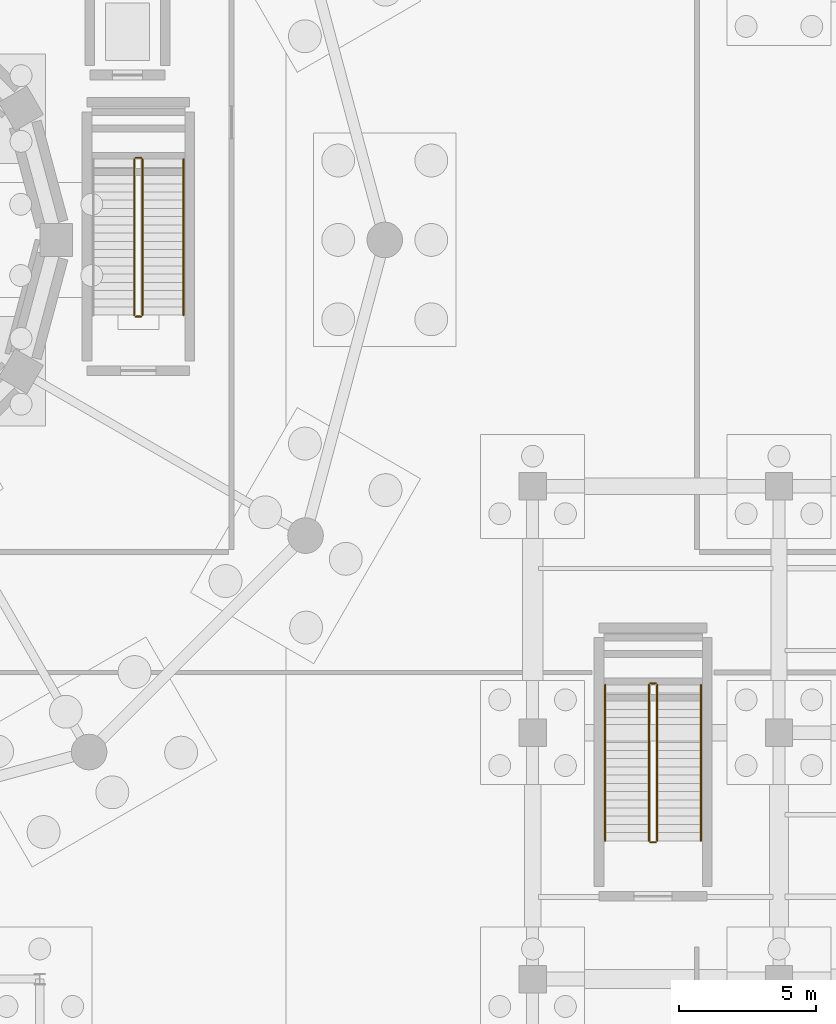
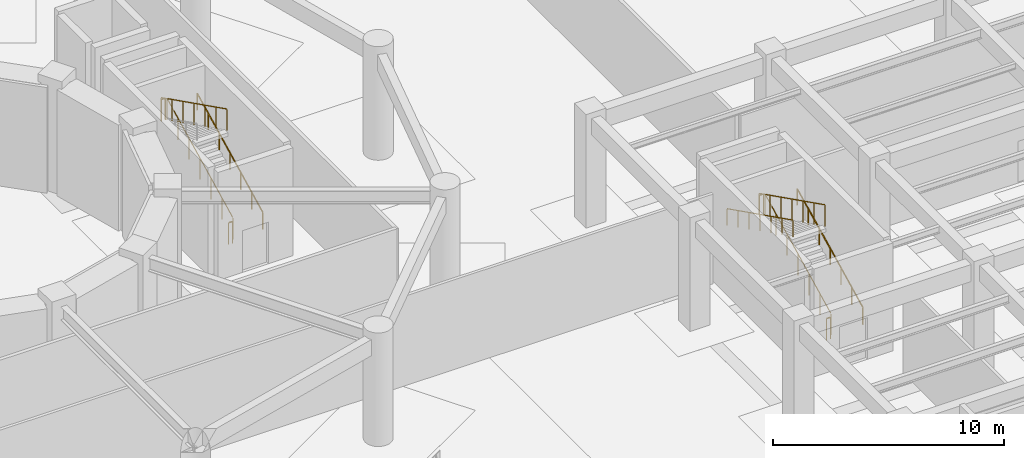
# One storey, part 29 of 36: 11 railings.
"""IFC4 building model written with IfcOpenShell, lengths in metres."""

from ifc_helpers import new_model, si_unit, direction, frame, origin, origin_2d, place, context, subcontext, project, spatial, circle, extrude, material, type_object, element, save


model = new_model("IFC4")

# Units and contexts
model_context = context("Model", 3, precision=1e-05, world=origin(), true_north=direction((0.0, 1.0)))
body_context = subcontext(model_context, "Body", "Model", "MODEL_VIEW")
ifc_project = project(units=[si_unit("LENGTHUNIT", "METRE"), si_unit("AREAUNIT", "SQUARE_METRE"), si_unit("VOLUMEUNIT", "CUBIC_METRE"), si_unit("PLANEANGLEUNIT", "RADIAN"), si_unit("MASSUNIT", "GRAM", prefix="KILO")], contexts=[model_context])

# Site, building, storey
site_placement = place(None, origin())
site = spatial("IfcSite", under=ifc_project, at=site_placement, CompositionType="ELEMENT")
building_placement = place(site_placement, origin())
building = spatial("IfcBuilding", under=site, at=building_placement, Name="Haizhuo Lancet Aquarium", CompositionType="ELEMENT")
storey_placement = place(building_placement, frame((0.0, 0.0, -6.0)))
storey = spatial("IfcBuildingStorey", under=building, at=storey_placement, Name="B1", CompositionType="ELEMENT", Elevation=-6.0)

# Railings
ifc_material = material(Name="Steel S355", Category="steel")
railing_type_1 = type_object("IfcRailingType", Name="RL-GRD-1150", PredefinedType="GUARDRAIL", material=ifc_material)
railing_1_placement = place(storey_placement, frame((12.75, -2.75, 0.14990234375)))
element("IfcRailing", 1, at=railing_1_placement, inside=storey, type_object=railing_type_1, Name="B1 ST-02 stair guard 1", PredefinedType="GUARDRAIL", context=body_context, shape_type="SweptSolid", body=[
    extrude(circle(Radius=0.02392578125, at=origin_2d()), frame((0.0, 0.02685546875, 1.13916015625), z_axis=(0.0, 0.894419528903, 0.447228919365), x_axis=(-1.0, 0.0, 0.0)), (0.0, 0.0, 1.0), 6.312744140625),
    extrude(circle(Radius=0.02099609375, at=origin_2d()), origin(), (0.0, 0.0, 1.0), 1.097900390625),
    extrude(circle(Radius=0.02099609375, at=origin_2d()), frame((0.0, 0.949951171875, 0.47509765625)), (0.0, 0.0, 1.0), 1.097900390625),
    extrude(circle(Radius=0.02099609375, at=origin_2d()), frame((0.0, 1.89990234375, 0.949951171875)), (0.0, 0.0, 1.0), 1.097900390625),
    extrude(circle(Radius=0.02099609375, at=origin_2d()), frame((0.0, 2.85009765625, 1.425048828125)), (0.0, 0.0, 1.0), 1.097900390625),
    extrude(circle(Radius=0.02099609375, at=origin_2d()), frame((0.0, 3.800048828125, 1.900146484375)), (0.0, 0.0, 1.0), 1.097900390625),
    extrude(circle(Radius=0.02099609375, at=origin_2d()), frame((0.0, 4.75, 2.375)), (0.0, 0.0, 1.0), 1.097900390625),
    extrude(circle(Radius=0.02099609375, at=origin_2d()), frame((0.0, 5.699951171875, 2.85009765625)), (0.0, 0.0, 1.0), 1.097900390625),
])
railing_2_placement = place(storey_placement, frame((12.699951171875, 3.0, 3.0)))
element("IfcRailing", 2, at=railing_2_placement, inside=storey, type_object=railing_type_1, Name="B1 ST-02 stair guard 2", PredefinedType="GUARDRAIL", context=body_context, shape_type="SweptSolid", body=[
    extrude(circle(Radius=0.02392578125, at=origin_2d()), frame((-0.030029296875, 0.0, 1.1259765625), z_axis=(-1.0, 0.0, 0.0), x_axis=(0.0, -1.0, 0.0)), (0.0, 0.0, 1.0), 0.139892578125),
    extrude(circle(Radius=0.02099609375, at=origin_2d()), origin(), (0.0, 0.0, 1.0), 1.097900390625),
    extrude(circle(Radius=0.02099609375, at=origin_2d()), frame((-0.199951171875, 0.0, 0.0)), (0.0, 0.0, 1.0), 1.097900390625),
])
railing_3_placement = place(storey_placement, frame((12.449951171875, 2.949951171875, 3.14990234375)))
element("IfcRailing", 3, at=railing_3_placement, inside=storey, type_object=railing_type_1, Name="B1 ST-02 stair guard 3", PredefinedType="GUARDRAIL", context=body_context, shape_type="SweptSolid", body=[
    extrude(circle(Radius=0.02392578125, at=origin_2d()), frame((0.0, -0.02685546875, 1.13916015625), z_axis=(0.0, -0.894419528903, 0.447228919365), x_axis=(1.0, 0.0, 0.0)), (0.0, 0.0, 1.0), 6.312744140625),
    extrude(circle(Radius=0.02099609375, at=origin_2d()), origin(), (0.0, 0.0, 1.0), 1.097900390625),
    extrude(circle(Radius=0.02099609375, at=origin_2d()), frame((0.0, -0.949951171875, 0.47509765625)), (0.0, 0.0, 1.0), 1.097900390625),
    extrude(circle(Radius=0.02099609375, at=origin_2d()), frame((0.0, -1.89990234375, 0.949951171875)), (0.0, 0.0, 1.0), 1.097900390625),
    extrude(circle(Radius=0.02099609375, at=origin_2d()), frame((0.0, -2.85009765625, 1.425048828125)), (0.0, 0.0, 1.0), 1.097900390625),
    extrude(circle(Radius=0.02099609375, at=origin_2d()), frame((0.0, -3.800048828125, 1.900146484375)), (0.0, 0.0, 1.0), 1.097900390625),
    extrude(circle(Radius=0.02099609375, at=origin_2d()), frame((0.0, -4.75, 2.375)), (0.0, 0.0, 1.0), 1.097900390625),
    extrude(circle(Radius=0.02099609375, at=origin_2d()), frame((0.0, -5.699951171875, 2.85009765625)), (0.0, 0.0, 1.0), 1.097900390625),
])
railing_4_placement = place(storey_placement, frame((12.699951171875, -2.800048828125, 0.0)))
element("IfcRailing", 4, at=railing_4_placement, inside=storey, type_object=railing_type_1, Name="B1 ST-02 stair guard 4", PredefinedType="GUARDRAIL", context=body_context, shape_type="SweptSolid", body=[
    extrude(circle(Radius=0.02392578125, at=origin_2d()), frame((-0.030029296875, 0.0, 1.1259765625), z_axis=(-1.0, 0.0, 0.0), x_axis=(0.0, -1.0, 0.0)), (0.0, 0.0, 1.0), 0.139892578125),
    extrude(circle(Radius=0.02099609375, at=origin_2d()), origin(), (0.0, 0.0, 1.0), 1.097900390625),
    extrude(circle(Radius=0.02099609375, at=origin_2d()), frame((-0.199951171875, 0.0, 0.0)), (0.0, 0.0, 1.0), 1.097900390625),
])
railing_5_placement = place(storey_placement, frame((31.550048828125, -21.949951171875, 0.14990234375)))
element("IfcRailing", 5, at=railing_5_placement, inside=storey, type_object=railing_type_1, Name="B1 ST-04 stair guard 1", PredefinedType="GUARDRAIL", context=body_context, shape_type="SweptSolid", body=[
    extrude(circle(Radius=0.02392578125, at=origin_2d()), frame((0.0, 0.02685546875, 1.13916015625), z_axis=(0.0, 0.894419528903, 0.447228919365), x_axis=(-1.0, 0.0, 0.0)), (0.0, 0.0, 1.0), 6.312744140625),
    extrude(circle(Radius=0.02099609375, at=origin_2d()), origin(), (0.0, 0.0, 1.0), 1.097900390625),
    extrude(circle(Radius=0.02099609375, at=origin_2d()), frame((0.0, 0.949951171875, 0.47509765625)), (0.0, 0.0, 1.0), 1.097900390625),
    extrude(circle(Radius=0.02099609375, at=origin_2d()), frame((0.0, 1.89990234375, 0.949951171875)), (0.0, 0.0, 1.0), 1.097900390625),
    extrude(circle(Radius=0.02099609375, at=origin_2d()), frame((0.0, 2.85009765625, 1.425048828125)), (0.0, 0.0, 1.0), 1.097900390625),
    extrude(circle(Radius=0.02099609375, at=origin_2d()), frame((0.0, 3.800048828125, 1.900146484375)), (0.0, 0.0, 1.0), 1.097900390625),
    extrude(circle(Radius=0.02099609375, at=origin_2d()), frame((0.0, 4.75, 2.375)), (0.0, 0.0, 1.0), 1.097900390625),
    extrude(circle(Radius=0.02099609375, at=origin_2d()), frame((0.0, 5.699951171875, 2.85009765625)), (0.0, 0.0, 1.0), 1.097900390625),
])
railing_6_placement = place(storey_placement, frame((31.5, -16.199951171875, 3.0)))
element("IfcRailing", 6, at=railing_6_placement, inside=storey, type_object=railing_type_1, Name="B1 ST-04 stair guard 2", PredefinedType="GUARDRAIL", context=body_context, shape_type="SweptSolid", body=[
    extrude(circle(Radius=0.02392578125, at=origin_2d()), frame((-0.030029296875, 0.0, 1.1259765625), z_axis=(-1.0, 0.0, 0.0), x_axis=(0.0, -1.0, 0.0)), (0.0, 0.0, 1.0), 0.139892578125),
    extrude(circle(Radius=0.02099609375, at=origin_2d()), origin(), (0.0, 0.0, 1.0), 1.097900390625),
    extrude(circle(Radius=0.02099609375, at=origin_2d()), frame((-0.199951171875, 0.0, 0.0)), (0.0, 0.0, 1.0), 1.097900390625),
])
railing_7_placement = place(storey_placement, frame((31.25, -16.25, 3.14990234375)))
element("IfcRailing", 7, at=railing_7_placement, inside=storey, type_object=railing_type_1, Name="B1 ST-04 stair guard 3", PredefinedType="GUARDRAIL", context=body_context, shape_type="SweptSolid", body=[
    extrude(circle(Radius=0.02392578125, at=origin_2d()), frame((0.0, -0.02685546875, 1.13916015625), z_axis=(0.0, -0.894419528903, 0.447228919365), x_axis=(1.0, 0.0, 0.0)), (0.0, 0.0, 1.0), 6.312744140625),
    extrude(circle(Radius=0.02099609375, at=origin_2d()), origin(), (0.0, 0.0, 1.0), 1.097900390625),
    extrude(circle(Radius=0.02099609375, at=origin_2d()), frame((0.0, -0.949951171875, 0.47509765625)), (0.0, 0.0, 1.0), 1.097900390625),
    extrude(circle(Radius=0.02099609375, at=origin_2d()), frame((0.0, -1.89990234375, 0.949951171875)), (0.0, 0.0, 1.0), 1.097900390625),
    extrude(circle(Radius=0.02099609375, at=origin_2d()), frame((0.0, -2.85009765625, 1.425048828125)), (0.0, 0.0, 1.0), 1.097900390625),
    extrude(circle(Radius=0.02099609375, at=origin_2d()), frame((0.0, -3.800048828125, 1.900146484375)), (0.0, 0.0, 1.0), 1.097900390625),
    extrude(circle(Radius=0.02099609375, at=origin_2d()), frame((0.0, -4.75, 2.375)), (0.0, 0.0, 1.0), 1.097900390625),
    extrude(circle(Radius=0.02099609375, at=origin_2d()), frame((0.0, -5.699951171875, 2.85009765625)), (0.0, 0.0, 1.0), 1.097900390625),
])
railing_8_placement = place(storey_placement, frame((31.5, -22.0, 0.0)))
element("IfcRailing", 8, at=railing_8_placement, inside=storey, type_object=railing_type_1, Name="B1 ST-04 stair guard 4", PredefinedType="GUARDRAIL", context=body_context, shape_type="SweptSolid", body=[
    extrude(circle(Radius=0.02392578125, at=origin_2d()), frame((-0.030029296875, 0.0, 1.1259765625), z_axis=(-1.0, 0.0, 0.0), x_axis=(0.0, -1.0, 0.0)), (0.0, 0.0, 1.0), 0.139892578125),
    extrude(circle(Radius=0.02099609375, at=origin_2d()), origin(), (0.0, 0.0, 1.0), 1.097900390625),
    extrude(circle(Radius=0.02099609375, at=origin_2d()), frame((-0.199951171875, 0.0, 0.0)), (0.0, 0.0, 1.0), 1.097900390625),
])
railing_type_2 = type_object("IfcRailingType", Name="RL-HDR-900", PredefinedType="HANDRAIL", material=ifc_material)
for number, where, name in (
    (9, (14.25, -2.75, 0.14990234375), "B1 ST-02 pitch handrail 1"),
    (10, (33.14990234375, -21.949951171875, 0.14990234375), "B1 ST-04 pitch handrail 1"),
):
    element("IfcRailing", number, at=place(storey_placement, frame(where)), inside=storey, type_object=railing_type_2, Name=name, PredefinedType="HANDRAIL", context=body_context, shape_type="SweptSolid", body=[
        extrude(circle(Radius=0.02392578125, at=origin_2d()), frame((0.0, 0.02685546875, 0.88916015625), z_axis=(0.0, 0.894419528903, 0.447228919365), x_axis=(-1.0, 0.0, 0.0)), (0.0, 0.0, 1.0), 6.312744140625),
        extrude(circle(Radius=0.02099609375, at=origin_2d()), origin(), (0.0, 0.0, 1.0), 0.847900390625),
        extrude(circle(Radius=0.02099609375, at=origin_2d()), frame((0.0, 0.949951171875, 0.47509765625)), (0.0, 0.0, 1.0), 0.847900390625),
        extrude(circle(Radius=0.02099609375, at=origin_2d()), frame((0.0, 1.89990234375, 0.949951171875)), (0.0, 0.0, 1.0), 0.847900390625),
        extrude(circle(Radius=0.02099609375, at=origin_2d()), frame((0.0, 2.85009765625, 1.425048828125)), (0.0, 0.0, 1.0), 0.847900390625),
        extrude(circle(Radius=0.02099609375, at=origin_2d()), frame((0.0, 3.800048828125, 1.900146484375)), (0.0, 0.0, 1.0), 0.847900390625),
        extrude(circle(Radius=0.02099609375, at=origin_2d()), frame((0.0, 4.75, 2.375)), (0.0, 0.0, 1.0), 0.847900390625),
        extrude(circle(Radius=0.02099609375, at=origin_2d()), frame((0.0, 5.699951171875, 2.85009765625)), (0.0, 0.0, 1.0), 0.847900390625),
    ])
railing_9_placement = place(storey_placement, frame((29.64990234375, -16.25, 3.14990234375)))
element("IfcRailing", 11, at=railing_9_placement, inside=storey, type_object=railing_type_2, Name="B1 ST-04 pitch handrail 2", PredefinedType="HANDRAIL", context=body_context, shape_type="SweptSolid", body=[
    extrude(circle(Radius=0.02392578125, at=origin_2d()), frame((0.0, -0.02685546875, 0.88916015625), z_axis=(0.0, -0.894419528903, 0.447228919365), x_axis=(1.0, 0.0, 0.0)), (0.0, 0.0, 1.0), 6.312744140625),
    extrude(circle(Radius=0.02099609375, at=origin_2d()), origin(), (0.0, 0.0, 1.0), 0.847900390625),
    extrude(circle(Radius=0.02099609375, at=origin_2d()), frame((0.0, -0.949951171875, 0.47509765625)), (0.0, 0.0, 1.0), 0.847900390625),
    extrude(circle(Radius=0.02099609375, at=origin_2d()), frame((0.0, -1.89990234375, 0.949951171875)), (0.0, 0.0, 1.0), 0.847900390625),
    extrude(circle(Radius=0.02099609375, at=origin_2d()), frame((0.0, -2.85009765625, 1.425048828125)), (0.0, 0.0, 1.0), 0.847900390625),
    extrude(circle(Radius=0.02099609375, at=origin_2d()), frame((0.0, -3.800048828125, 1.900146484375)), (0.0, 0.0, 1.0), 0.847900390625),
    extrude(circle(Radius=0.02099609375, at=origin_2d()), frame((0.0, -4.75, 2.375)), (0.0, 0.0, 1.0), 0.847900390625),
    extrude(circle(Radius=0.02099609375, at=origin_2d()), frame((0.0, -5.699951171875, 2.85009765625)), (0.0, 0.0, 1.0), 0.847900390625),
])

save(model, "model.ifc")
